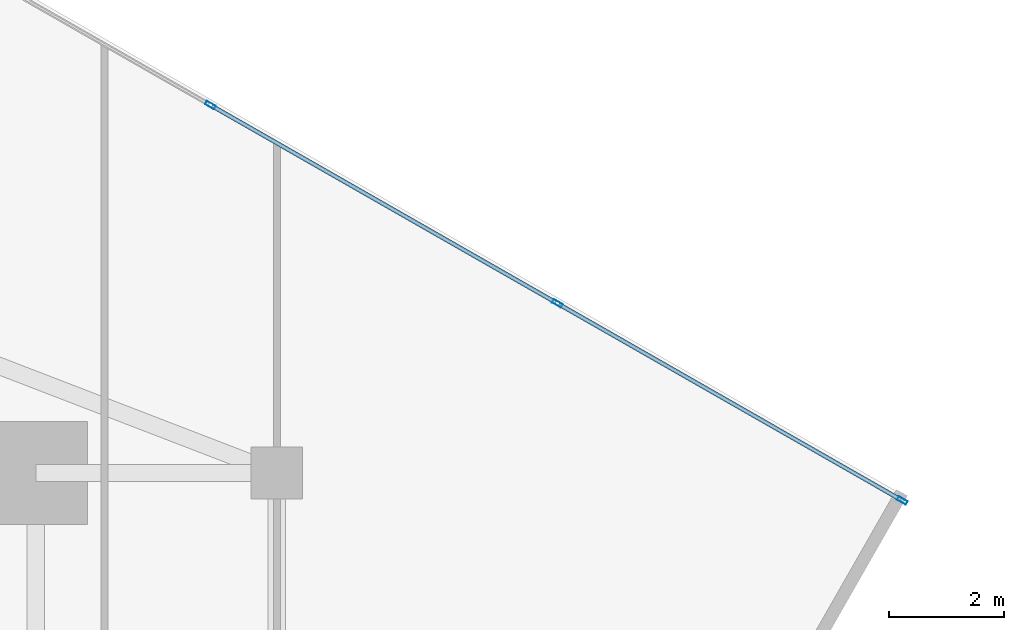
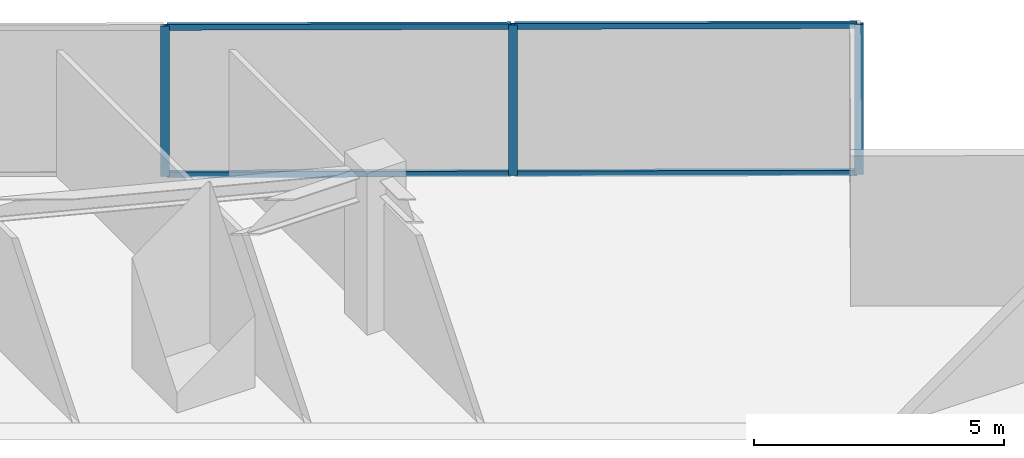
# One storey, part 17 of 24: 7 members, 1 element without a shape of its own.
"""IFC4 building model written with IfcOpenShell, lengths in metres."""

from ifc_helpers import new_model, si_unit, direction, frame, origin, origin_2d, place, context, subcontext, project, spatial, hollow_rectangle, extrude, source, transform, mapped, material, material_profile, profile_set, type_object, type_shapes, element, aggregate, save


model = new_model("IFC4")

# Units and contexts
model_context = context("Model", 3, precision=1e-05, world=origin(), true_north=direction((0.0, 1.0)))
body_context = subcontext(model_context, "Body", "Model", "MODEL_VIEW")
ifc_project = project(units=[si_unit("LENGTHUNIT", "METRE"), si_unit("AREAUNIT", "SQUARE_METRE"), si_unit("VOLUMEUNIT", "CUBIC_METRE"), si_unit("PLANEANGLEUNIT", "RADIAN"), si_unit("MASSUNIT", "GRAM", prefix="KILO")], contexts=[model_context])

# Site, building, storey
site_placement = place(None, origin())
site = spatial("IfcSite", under=ifc_project, at=site_placement, CompositionType="ELEMENT")
building_placement = place(site_placement, origin())
building = spatial("IfcBuilding", under=site, at=building_placement, Name="Krantzveldt Concourse Tower", CompositionType="ELEMENT")
storey_placement = place(building_placement, frame((0.0, 0.0, 162.0)))
storey = spatial("IfcBuildingStorey", under=building, at=storey_placement, Name="L39", CompositionType="ELEMENT", Elevation=162.0)

# Curtain wall, members
ifc_material = material(Name="Anodised aluminium 6063-T6", Category="aluminium")
curtain_wall_type = type_object("IfcCurtainWallType", Name="CW3", PredefinedType="USERDEFINED", material=ifc_material)
curtain_wall_placement = place(storey_placement, origin())
curtain_wall = element("IfcCurtainWall", 1, at=curtain_wall_placement, inside=storey, type_object=curtain_wall_type, Name="CW-L39-F14", ObjectType="UNITISED CURTAIN WALL", PredefinedType="USERDEFINED")
ifc_material_profile_1 = material_profile(ifc_material, hollow_rectangle(XDim=0.070068359375, YDim=0.179931640625, WallThickness=0.0048828125, at=origin_2d()), Name="Anodised aluminium 6063-T6", Category="aluminium")
ifc_profile_set_1 = profile_set([ifc_material_profile_1], Name="Anodised aluminium 6063-T6 - ALU-MULL 180x70x5")
member_type_1 = type_object("IfcMemberType", Name="CW-MUL-180", PredefinedType="MULLION", material=ifc_profile_set_1)
shared_shape_1 = source(origin(), body_context, "Body", "SweptSolid", [
    extrude(hollow_rectangle(XDim=0.070068359375, YDim=0.179931640625, WallThickness=0.0048828125, at=origin_2d()), origin(), (0.0, 0.0, 1.0), 3.669921875),
])
type_shapes(member_type_1, [shared_shape_1])
member_1_placement = place(storey_placement, frame((61.898681640625, 37.0185546875, 0.0), z_axis=(0.0, 0.0, 1.0), x_axis=(-0.496216394392, -0.868198876949, 0.0)))
member_1 = element("IfcMember", 2, at=member_1_placement, type_object=member_type_1, Name="CW-Z34 mullion 1", PredefinedType="MULLION", context=body_context, shape_type="MappedRepresentation", body=[
    mapped(shared_shape_1, transform((0.0, 0.0, 0.0), x_axis=(1.0, 0.0, 0.0), y_axis=(0.0, 1.0, 0.0), z_axis=(0.0, 0.0, 1.0), scale=1.0)),
])
member_2_placement = place(storey_placement, frame((55.886474609375, 40.454833984375, 0.0), z_axis=(0.0, 0.0, 1.0), x_axis=(-0.496216394392, -0.868198876949, 0.0)))
member_2 = element("IfcMember", 3, at=member_2_placement, type_object=member_type_1, Name="CW-Z34 mullion 2", PredefinedType="MULLION", context=body_context, shape_type="MappedRepresentation", body=[
    mapped(shared_shape_1, transform((0.0, 0.0, 0.0), x_axis=(1.0, 0.0, 0.0), y_axis=(0.0, 1.0, 0.0), z_axis=(0.0, 0.0, 1.0), scale=1.0)),
])
member_3_placement = place(storey_placement, frame((49.84375, 43.90869140625, 0.0), z_axis=(0.0, 0.0, 1.0), x_axis=(-0.496216394392, -0.868198876949, 0.0)))
member_3 = element("IfcMember", 4, at=member_3_placement, type_object=member_type_1, Name="CW-Z34 mullion 3", PredefinedType="MULLION", context=body_context, shape_type="MappedRepresentation", body=[
    mapped(shared_shape_1, transform((0.0, 0.0, 0.0), x_axis=(1.0, 0.0, 0.0), y_axis=(0.0, 1.0, 0.0), z_axis=(0.0, 0.0, 1.0), scale=1.0)),
])
ifc_material_profile_2 = material_profile(ifc_material, hollow_rectangle(XDim=0.070068359375, YDim=0.139892578125, WallThickness=0.0048828125, at=origin_2d()), Name="Anodised aluminium 6063-T6", Category="aluminium")
ifc_profile_set_2 = profile_set([ifc_material_profile_2], Name="Anodised aluminium 6063-T6 - ALU-TRAN 140x70x5")
member_type_2 = type_object("IfcMemberType", Name="CW-TRN-150", PredefinedType="USERDEFINED", material=ifc_profile_set_2)
shared_shape_2 = source(origin(), body_context, "Body", "SweptSolid", [
    extrude(hollow_rectangle(XDim=0.070068359375, YDim=0.139892578125, WallThickness=0.0048828125, at=origin_2d()), origin(), (0.0, 0.0, 1.0), 6.89013671875),
])
member_4_placement = place(storey_placement, frame((55.856201171875, 40.47216796875, 0.034912109375), z_axis=(-0.868199527911, 0.496215255443, 0.0), x_axis=(-0.496215255443, -0.868199527911, 0.0)))
member_4 = element("IfcMember", 5, at=member_4_placement, type_object=member_type_2, Name="CW-Z34 transom 2.1", ObjectType="TRANSOM", PredefinedType="USERDEFINED", context=body_context, shape_type="MappedRepresentation", body=[
    mapped(shared_shape_2, transform((0.0, 0.0, 0.0), x_axis=(1.0, 0.0, 0.0), y_axis=(0.0, 1.0, 0.0), z_axis=(0.0, 0.0, 1.0), scale=1.0)),
])
member_5_placement = place(storey_placement, frame((55.856201171875, 40.47216796875, 3.635009765625), z_axis=(-0.868199527911, 0.496215255443, 0.0), x_axis=(-0.496215255443, -0.868199527911, 0.0)))
member_5 = element("IfcMember", 6, at=member_5_placement, type_object=member_type_2, Name="CW-Z34 transom 2.2", ObjectType="TRANSOM", PredefinedType="USERDEFINED", context=body_context, shape_type="MappedRepresentation", body=[
    mapped(shared_shape_2, transform((0.0, 0.0, 0.0), x_axis=(1.0, 0.0, 0.0), y_axis=(0.0, 1.0, 0.0), z_axis=(0.0, 0.0, 1.0), scale=1.0)),
])
shared_shape_3 = source(origin(), body_context, "Body", "SweptSolid", [
    extrude(hollow_rectangle(XDim=0.070068359375, YDim=0.139892578125, WallThickness=0.0048828125, at=origin_2d()), origin(), (0.0, 0.0, 1.0), 6.855224609375),
])
type_shapes(member_type_2, [shared_shape_2, shared_shape_3])
member_6_placement = place(storey_placement, frame((61.868408203125, 37.035888671875, 0.034912109375), z_axis=(-0.868201497918, 0.496211808618, 0.0), x_axis=(-0.496211808618, -0.868201497918, 0.0)))
member_6 = element("IfcMember", 7, at=member_6_placement, type_object=member_type_2, Name="CW-Z34 transom 1.1", ObjectType="TRANSOM", PredefinedType="USERDEFINED", context=body_context, shape_type="MappedRepresentation", body=[
    mapped(shared_shape_3, transform((0.0, 0.0, 0.0), x_axis=(1.0, 0.0, 0.0), y_axis=(0.0, 1.0, 0.0), z_axis=(0.0, 0.0, 1.0), scale=1.0)),
])
member_7_placement = place(storey_placement, frame((61.868408203125, 37.035888671875, 3.635009765625), z_axis=(-0.868201497918, 0.496211808618, 0.0), x_axis=(-0.496211808618, -0.868201497918, 0.0)))
member_7 = element("IfcMember", 8, at=member_7_placement, type_object=member_type_2, Name="CW-Z34 transom 1.2", ObjectType="TRANSOM", PredefinedType="USERDEFINED", context=body_context, shape_type="MappedRepresentation", body=[
    mapped(shared_shape_3, transform((0.0, 0.0, 0.0), x_axis=(1.0, 0.0, 0.0), y_axis=(0.0, 1.0, 0.0), z_axis=(0.0, 0.0, 1.0), scale=1.0)),
])
aggregate(curtain_wall, [member_1, member_2, member_3, member_6, member_7, member_4, member_5])

save(model, "model.ifc")
